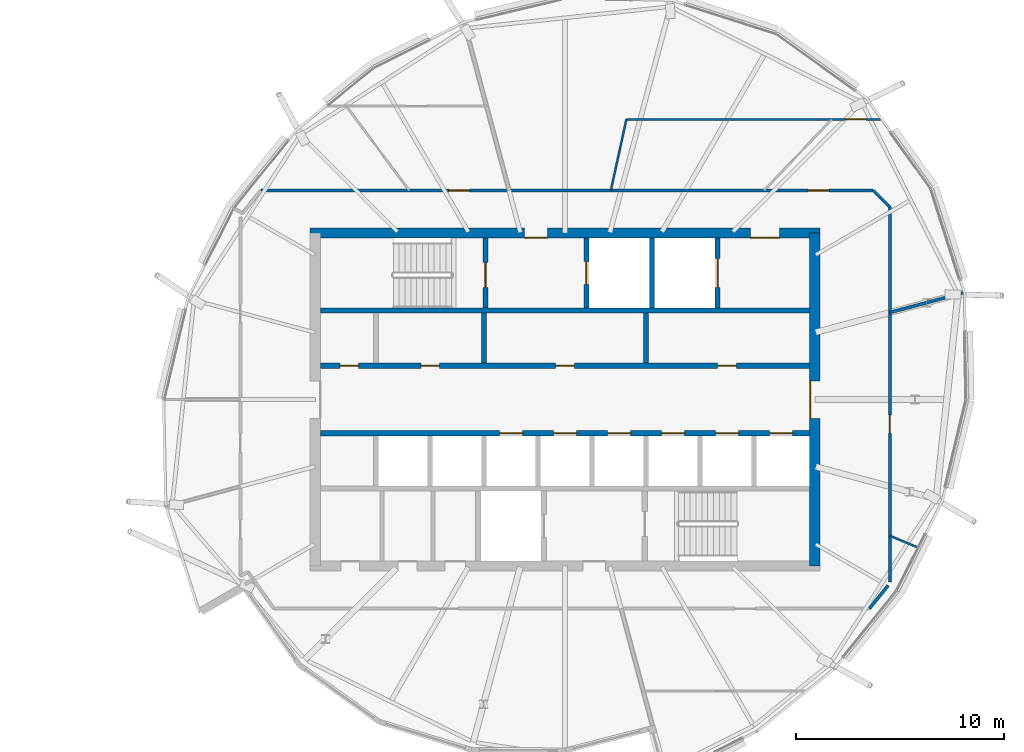
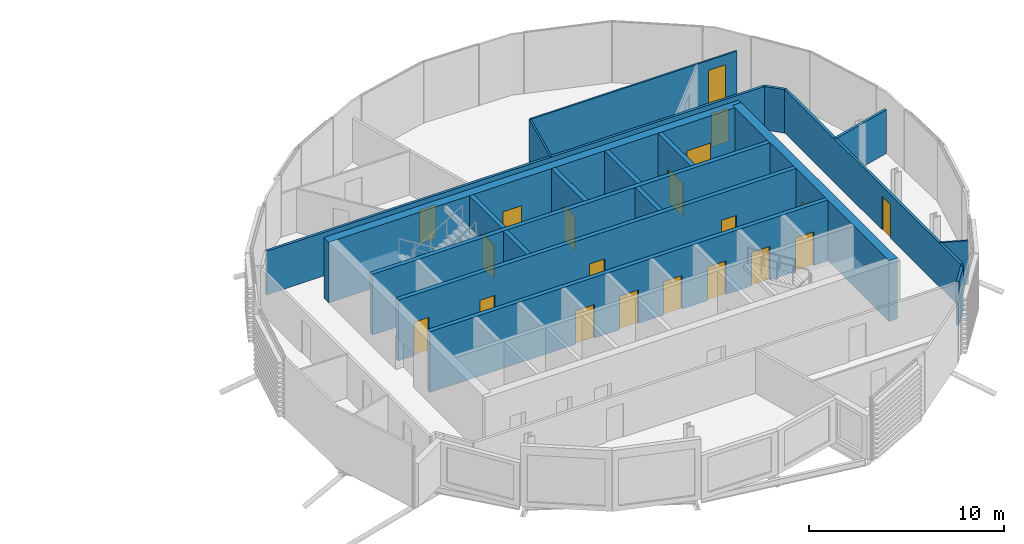
# One storey, part 20 of 33: 20 doors, 19 walls, 20 openings.
"""IFC4 building model written with IfcOpenShell, lengths in metres."""

from ifc_helpers import new_model, si_unit, direction, frame, frame_2d, origin, place, context, subcontext, project, spatial, rectangle, extrude, material, layer, layer_set, type_object, element, fill, save


model = new_model("IFC4")

# Units and contexts
model_context = context("Model", 3, precision=1e-05, world=origin(), true_north=direction((0.0, 1.0)))
body_context = subcontext(model_context, "Body", "Model", "MODEL_VIEW")
ifc_project = project(units=[si_unit("LENGTHUNIT", "METRE"), si_unit("AREAUNIT", "SQUARE_METRE"), si_unit("VOLUMEUNIT", "CUBIC_METRE"), si_unit("PLANEANGLEUNIT", "RADIAN"), si_unit("MASSUNIT", "GRAM", prefix="KILO")], contexts=[model_context])

# Site, building, storey
site_placement = place(None, origin())
site = spatial("IfcSite", under=ifc_project, at=site_placement, CompositionType="ELEMENT")
building_placement = place(site_placement, origin())
building = spatial("IfcBuilding", under=site, at=building_placement, Name="Rimbun Link Towers", CompositionType="ELEMENT")
storey_placement = place(building_placement, frame((0.0, 0.0, 237.10009765625)))
storey = spatial("IfcBuildingStorey", under=building, at=storey_placement, Name="L58", CompositionType="ELEMENT", Elevation=237.10009765625)

# Wall, openings, doors
ifc_material_1 = material(Name="Concrete C60/75", Category="concrete")
ifc_layer_1 = layer(ifc_material_1, 0.5)
ifc_layer_set_1 = layer_set([ifc_layer_1], Name="Core shear wall 500")
wall_type_1 = type_object("IfcWallType", Name="Core shear wall 500", PredefinedType="SHEAR", material=ifc_layer_set_1)
wall_1_placement = place(storey_placement, frame((19.5, 8.0, 0.0), z_axis=(0.0, 0.0, 1.0), x_axis=(1.0, 0.0, 0.0)))
wall_1 = element("IfcWall", 1, at=wall_1_placement, inside=storey, type_object=wall_type_1, Name="L58 T2 core wall N", PredefinedType="SHEAR", context=body_context, shape_type="SweptSolid", body=[
    extrude(rectangle(XDim=24.5, YDim=0.5, at=frame_2d((12.25, 0.0))), origin(), (0.0, 0.0, 1.0), 3.7998046875),
])
opening_1_placement = place(wall_1_placement, frame((10.300048828125, 0.0, 0.0)))
opening_1 = element("IfcOpeningElement", 2, at=opening_1_placement, cuts=wall_1, Name="Opening C2DCF01N", PredefinedType="OPENING", context=body_context, shape_type="SweptSolid", body=[
    extrude(rectangle(XDim=1.10009765625, YDim=2.10009765625, at=frame_2d((0.550048828125, 1.050048828125))), frame((0.0, 0.260009765625, 0.0), z_axis=(0.0, -1.0, 0.0), x_axis=(1.0, 0.0, 0.0)), (0.0, 0.0, 1.0), 0.52001953125),
])
opening_2_placement = place(wall_1_placement, frame((21.14990234375, 0.0, 0.0)))
opening_2 = element("IfcOpeningElement", 3, at=opening_2_placement, cuts=wall_1, Name="Opening C2DSL02N", PredefinedType="OPENING", context=body_context, shape_type="SweptSolid", body=[
    extrude(rectangle(XDim=1.39990234375, YDim=2.10009765625, at=frame_2d((0.699951171875, 1.050048828125))), frame((0.0, 0.260009765625, 0.0), z_axis=(0.0, -1.0, 0.0), x_axis=(1.0, 0.0, 0.0)), (0.0, 0.0, 1.0), 0.52001953125),
])
ifc_material_2 = material(Name="Steel fire door set", Category="steel")
door_type_1 = type_object("IfcDoorType", Name="Core fire door single", OperationType="SINGLE_SWING_LEFT", PredefinedType="DOOR", material=ifc_material_2)
door_1_placement = place(opening_1_placement, origin())
door_1 = element("IfcDoor", 4, at=door_1_placement, inside=storey, type_object=door_type_1, Name="L58 T2 firefighting lobby n door", OperationType="SINGLE_SWING_LEFT", OverallHeight=2.10009765625, OverallWidth=1.10009765625, PredefinedType="DOOR", context=body_context, shape_type="SweptSolid", body=[
    extrude(rectangle(XDim=1.10009765625, YDim=2.10009765625, at=frame_2d((0.550048828125, 1.050048828125))), frame((0.0, -0.2001953125, 0.0), z_axis=(0.0, -1.0, 0.0), x_axis=(1.0, 0.0, 0.0)), (0.0, 0.0, 1.0), 0.050048828125),
])
fill(opening_1, door_1)
ifc_material_3 = material(Name="Steel fire door set", Category="steel")
door_type_2 = type_object("IfcDoorType", Name="Service lobby door double", OperationType="DOUBLE_DOOR_SINGLE_SWING", PredefinedType="DOOR", material=ifc_material_3)
door_2_placement = place(opening_2_placement, origin())
door_2 = element("IfcDoor", 5, at=door_2_placement, inside=storey, type_object=door_type_2, Name="L58 T2 service lobby door", OperationType="DOUBLE_DOOR_SINGLE_SWING", OverallHeight=2.10009765625, OverallWidth=1.39990234375, PredefinedType="DOOR", context=body_context, shape_type="SweptSolid", body=[
    extrude(rectangle(XDim=1.39990234375, YDim=2.10009765625, at=frame_2d((0.699951171875, 1.050048828125))), frame((0.0, -0.2001953125, 0.0), z_axis=(0.0, -1.0, 0.0), x_axis=(1.0, 0.0, 0.0)), (0.0, 0.0, 1.0), 0.050048828125),
])
fill(opening_2, door_2)

# Wall, opening, door
wall_2_placement = place(storey_placement, frame((43.75, -8.0, 0.0), z_axis=(0.0, 0.0, 1.0), x_axis=(0.0, 1.0, 0.0)))
wall_2 = element("IfcWall", 6, at=wall_2_placement, inside=storey, type_object=wall_type_1, Name="L58 T2 core wall E", PredefinedType="SHEAR", context=body_context, shape_type="SweptSolid", body=[
    extrude(rectangle(XDim=16.0, YDim=0.5, at=frame_2d((8.0, 0.0))), origin(), (0.0, 0.0, 1.0), 3.7998046875),
])
opening_3_placement = place(wall_2_placement, frame((7.10009765625, 0.0, 0.0)))
opening_3 = element("IfcOpeningElement", 7, at=opening_3_placement, cuts=wall_2, Name="Opening C2DCL01E", PredefinedType="OPENING", context=body_context, shape_type="SweptSolid", body=[
    extrude(rectangle(XDim=1.800048828125, YDim=2.10009765625, at=frame_2d((0.89990234375, 1.050048828125))), frame((0.0, 0.260009765625, 0.0), z_axis=(0.0, -1.0, 0.0), x_axis=(1.0, 0.0, 0.0)), (0.0, 0.0, 1.0), 0.52001953125),
])
ifc_material_4 = material(Name="Steel fire door set", Category="steel")
door_type_3 = type_object("IfcDoorType", Name="Core lobby door double", OperationType="DOUBLE_DOOR_SINGLE_SWING", PredefinedType="DOOR", material=ifc_material_4)
door_3_placement = place(opening_3_placement, origin())
door_3 = element("IfcDoor", 8, at=door_3_placement, inside=storey, type_object=door_type_3, Name="L58 T2 lift lobby door", OperationType="DOUBLE_DOOR_SINGLE_SWING", OverallHeight=2.10009765625, OverallWidth=1.800048828125, PredefinedType="DOOR", context=body_context, shape_type="SweptSolid", body=[
    extrude(rectangle(XDim=1.800048828125, YDim=2.10009765625, at=frame_2d((0.89990234375, 1.050048828125))), frame((0.0, 0.25, 0.0), z_axis=(0.0, -1.0, 0.0), x_axis=(1.0, 0.0, 0.0)), (0.0, 0.0, 1.0), 0.050048828125),
])
fill(opening_3, door_3)

# Wall
ifc_material_5 = material(Name="Plasterboard on steel stud, mineral wool", Category="steel")
ifc_layer_2 = layer(ifc_material_5, 0.14990234375)
ifc_layer_set_2 = layer_set([ifc_layer_2], Name="Corridor wall EI 30 150 mm")
wall_type_2 = type_object("IfcWallType", Name="Corridor wall EI 30 150 mm", PredefinedType="PARTITIONING", material=ifc_layer_set_2)
wall_3_placement = place(storey_placement, frame((47.35498046875, 9.24365234375, 0.0), z_axis=(0.0, 0.0, 1.0), x_axis=(-0.707106781187, 0.707106781187, 0.0)))
element("IfcWall", 9, at=wall_3_placement, inside=storey, type_object=wall_type_2, Name="Corridor wall EI 30 150 mm", PredefinedType="PARTITIONING", context=body_context, shape_type="SweptSolid", body=[
    extrude(rectangle(XDim=1.133056640625, YDim=0.14990234375, at=frame_2d((0.56640625, 0.0))), origin(), (0.0, 0.0, 1.0), 2.721923828125),
])

# Wall, opening, door
wall_4_placement = place(storey_placement, frame((47.35498046875, 9.24365234375, 0.0), z_axis=(0.0, 0.0, 1.0), x_axis=(0.0, -1.0, 0.0)))
wall_4 = element("IfcWall", 10, at=wall_4_placement, inside=storey, type_object=wall_type_2, Name="Corridor wall EI 30 150 mm", PredefinedType="PARTITIONING", context=body_context, shape_type="SweptSolid", body=[
    extrude(rectangle(XDim=18.01318359375, YDim=0.14990234375, at=frame_2d((9.006591796875, 0.0))), origin(), (0.0, 0.0, 1.0), 2.721923828125),
])
opening_4_placement = place(wall_4_placement, frame((9.9755859375, 0.0, 0.0)))
opening_4 = element("IfcOpeningElement", 11, at=opening_4_placement, cuts=wall_4, Name="Opening D02", PredefinedType="OPENING", context=body_context, shape_type="SweptSolid", body=[
    extrude(rectangle(XDim=0.89990234375, YDim=2.10009765625, at=frame_2d((0.449951171875, 1.050048828125))), frame((0.0, 0.0849609375, 0.0), z_axis=(0.0, -1.0, 0.0), x_axis=(1.0, 0.0, 0.0)), (0.0, 0.0, 1.0), 0.169921875),
])
ifc_material_6 = material(Name="Fire-resisting timber door leaf", Category="wood")
door_type_4 = type_object("IfcDoorType", Name="Fire door FD30S 900", OperationType="NOTDEFINED", PredefinedType="DOOR", material=ifc_material_6)
door_4_placement = place(opening_4_placement, origin())
door_4 = element("IfcDoor", 12, at=door_4_placement, inside=storey, type_object=door_type_4, Name="Fire door FD30S 900 to Meeting room", OperationType="SINGLE_SWING_LEFT", OverallHeight=2.10009765625, OverallWidth=0.89990234375, PredefinedType="DOOR", context=body_context, shape_type="SweptSolid", body=[
    extrude(rectangle(XDim=0.89990234375, YDim=2.10009765625, at=frame_2d((0.449951171875, 1.050048828125))), frame((0.0, 0.02490234375, 0.0), z_axis=(0.0, -1.0, 0.0), x_axis=(1.0, 0.0, 0.0)), (0.0, 0.0, 1.0), 0.050048828125),
])
fill(opening_4, door_4)

# Wall
wall_5_placement = place(storey_placement, frame((46.37353515625, -10.044921875, 0.0), z_axis=(0.0, 0.0, 1.0), x_axis=(0.629149019121, 0.777284704428, 0.0)))
element("IfcWall", 13, at=wall_5_placement, inside=storey, type_object=wall_type_2, Name="Corridor wall EI 30 150 mm", PredefinedType="PARTITIONING", context=body_context, shape_type="SweptSolid", body=[
    extrude(rectangle(XDim=1.42724609375, YDim=0.14990234375, at=frame_2d((0.713623046875, 0.0))), origin(), (0.0, 0.0, 1.0), 2.721923828125),
])

# Wall, openings, doors
wall_6_placement = place(storey_placement, frame((17.12646484375, 10.044921875, 0.0), z_axis=(0.0, 0.0, 1.0), x_axis=(1.0, 0.0, 0.0)))
wall_6 = element("IfcWall", 14, at=wall_6_placement, inside=storey, type_object=wall_type_2, Name="Corridor wall EI 30 150 mm", PredefinedType="PARTITIONING", context=body_context, shape_type="SweptSolid", body=[
    extrude(rectangle(XDim=29.42724609375, YDim=0.14990234375, at=frame_2d((14.713623046875, 0.0))), origin(), (0.0, 0.0, 1.0), 2.721923828125),
])
opening_5_placement = place(wall_6_placement, frame((26.30419921875, 0.0, 0.0)))
opening_5 = element("IfcOpeningElement", 15, at=opening_5_placement, cuts=wall_6, Name="Opening D01", PredefinedType="OPENING", context=body_context, shape_type="SweptSolid", body=[
    extrude(rectangle(XDim=1.0, YDim=2.10009765625, at=frame_2d((0.5, 1.050048828125))), frame((0.0, 0.0849609375, 0.0), z_axis=(0.0, -1.0, 0.0), x_axis=(1.0, 0.0, 0.0)), (0.0, 0.0, 1.0), 0.169921875),
])
opening_6_placement = place(wall_6_placement, frame((9.03271484375, 0.0, 0.0)))
opening_6 = element("IfcOpeningElement", 16, at=opening_6_placement, cuts=wall_6, Name="Opening D01", PredefinedType="OPENING", context=body_context, shape_type="SweptSolid", body=[
    extrude(rectangle(XDim=1.0, YDim=2.10009765625, at=frame_2d((0.5, 1.050048828125))), frame((0.0, 0.0849609375, 0.0), z_axis=(0.0, -1.0, 0.0), x_axis=(1.0, 0.0, 0.0)), (0.0, 0.0, 1.0), 0.169921875),
])
ifc_material_7 = material(Name="Fire-resisting timber door leaf", Category="wood")
door_type_5 = type_object("IfcDoorType", Name="Fire door FD30S 1000", OperationType="NOTDEFINED", PredefinedType="DOOR", material=ifc_material_7)
door_5_placement = place(opening_5_placement, origin())
door_5 = element("IfcDoor", 17, at=door_5_placement, inside=storey, type_object=door_type_5, Name="Fire door FD30S 1000 to Reception", OperationType="SINGLE_SWING_RIGHT", OverallHeight=2.10009765625, OverallWidth=1.0, PredefinedType="DOOR", context=body_context, shape_type="SweptSolid", body=[
    extrude(rectangle(XDim=1.0, YDim=2.10009765625, at=frame_2d((0.5, 1.050048828125))), frame((0.0, 0.02490234375, 0.0), z_axis=(0.0, -1.0, 0.0), x_axis=(1.0, 0.0, 0.0)), (0.0, 0.0, 1.0), 0.050048828125),
])
fill(opening_5, door_5)
door_6_placement = place(opening_6_placement, origin())
door_6 = element("IfcDoor", 18, at=door_6_placement, inside=storey, type_object=door_type_5, Name="Fire door FD30S 1000 to Reception", OperationType="SINGLE_SWING_LEFT", OverallHeight=2.10009765625, OverallWidth=1.0, PredefinedType="DOOR", context=body_context, shape_type="SweptSolid", body=[
    extrude(rectangle(XDim=1.0, YDim=2.10009765625, at=frame_2d((0.5, 1.050048828125))), frame((0.0, 0.02490234375, 0.0), z_axis=(0.0, -1.0, 0.0), x_axis=(1.0, 0.0, 0.0)), (0.0, 0.0, 1.0), 0.050048828125),
])
fill(opening_6, door_6)

# Wall
ifc_material_8 = material(Name="Plasterboard on steel stud", Category="steel")
ifc_layer_3 = layer(ifc_material_8, 0.10009765625)
ifc_layer_set_3 = layer_set([ifc_layer_3], Name="Plasterboard partition 100 mm")
wall_type_3 = type_object("IfcWallType", Name="Plasterboard partition 100 mm", PredefinedType="PARTITIONING", material=ifc_layer_set_3)
wall_7_placement = place(storey_placement, frame((48.693603515625, -7.106689453125, 0.0), z_axis=(0.0, 0.0, 1.0), x_axis=(-0.922153744636, 0.386823566052, 0.0)))
element("IfcWall", 19, at=wall_7_placement, inside=storey, type_object=wall_type_3, Name="Plasterboard partition 100 mm", PredefinedType="PARTITIONING", context=body_context, shape_type="SweptSolid", body=[
    extrude(rectangle(XDim=1.45166015625, YDim=0.10009765625, at=frame_2d((0.725830078125, 0.0))), origin(), (0.0, 0.0, 1.0), 2.721923828125),
])

# Wall, opening, door
wall_8_placement = place(storey_placement, frame((34.695068359375, 13.465087890625, 0.0), z_axis=(0.0, 0.0, 1.0), x_axis=(1.0, 0.0, 0.0)))
wall_8 = element("IfcWall", 20, at=wall_8_placement, inside=storey, type_object=wall_type_3, Name="Plasterboard partition 100 mm", PredefinedType="PARTITIONING", context=body_context, shape_type="SweptSolid", body=[
    extrude(rectangle(XDim=12.19921875, YDim=0.10009765625, at=frame_2d((6.099609375, 0.0))), origin(), (0.0, 0.0, 1.0), 2.721923828125),
])
opening_7_placement = place(wall_8_placement, frame((10.51220703125, 0.0, 0.0)))
opening_7 = element("IfcOpeningElement", 21, at=opening_7_placement, cuts=wall_8, Name="Opening D03", PredefinedType="OPENING", context=body_context, shape_type="SweptSolid", body=[
    extrude(rectangle(XDim=1.0, YDim=2.10009765625, at=frame_2d((0.5, 1.050048828125))), frame((0.0, 0.06005859375, 0.0), z_axis=(0.0, -1.0, 0.0), x_axis=(1.0, 0.0, 0.0)), (0.0, 0.0, 1.0), 0.1201171875),
])
ifc_material_9 = material(Name="Timber door leaf", Category="wood")
door_type_6 = type_object("IfcDoorType", Name="Flush door 1000", OperationType="NOTDEFINED", PredefinedType="DOOR", material=ifc_material_9)
door_7_placement = place(opening_7_placement, origin())
door_7 = element("IfcDoor", 22, at=door_7_placement, inside=storey, type_object=door_type_6, Name="Flush door 1000 to Open office", OperationType="SINGLE_SWING_LEFT", OverallHeight=2.10009765625, OverallWidth=1.0, PredefinedType="DOOR", context=body_context, shape_type="SweptSolid", body=[
    extrude(rectangle(XDim=1.0, YDim=2.10009765625, at=frame_2d((0.5, 1.050048828125))), frame((0.0, 0.02490234375, 0.0), z_axis=(0.0, -1.0, 0.0), x_axis=(1.0, 0.0, 0.0)), (0.0, 0.0, 1.0), 0.050048828125),
])
fill(opening_7, door_7)

# Walls
wall_9_placement = place(storey_placement, frame((34.695068359375, 13.465087890625, 0.0), z_axis=(0.0, 0.0, 1.0), x_axis=(-0.213665683514, -0.976906840844, 0.0)))
element("IfcWall", 23, at=wall_9_placement, inside=storey, type_object=wall_type_3, Name="Plasterboard partition 100 mm", PredefinedType="PARTITIONING", context=body_context, shape_type="SweptSolid", body=[
    extrude(rectangle(XDim=3.5009765625, YDim=0.10009765625, at=frame_2d((1.75048828125, 0.0))), origin(), (0.0, 0.0, 1.0), 2.721923828125),
])
ifc_material_10 = material(Name="Concrete C60/75", Category="concrete")
ifc_layer_4 = layer(ifc_material_10, 0.25)
ifc_layer_set_4 = layer_set([ifc_layer_4], Name="Shaft wall 250")
wall_type_4 = type_object("IfcWallType", Name="Shaft wall 250", PredefinedType="SHEAR", material=ifc_layer_set_4)
wall_10_placement = place(storey_placement, frame((20.0, 4.27490234375, 0.0), z_axis=(0.0, 0.0, 1.0), x_axis=(1.0, 0.0, 0.0)))
element("IfcWall", 24, at=wall_10_placement, inside=storey, type_object=wall_type_4, Name="L58 T2 core wall BN", PredefinedType="SHEAR", context=body_context, shape_type="SweptSolid", body=[
    extrude(rectangle(XDim=23.5, YDim=0.25, at=frame_2d((11.75, 0.0))), origin(), (0.0, 0.0, 1.0), 3.7998046875),
])

# Wall, openings, doors
wall_11_placement = place(storey_placement, frame((20.0, 1.625, 0.0), z_axis=(0.0, 0.0, 1.0), x_axis=(1.0, 0.0, 0.0)))
wall_11 = element("IfcWall", 25, at=wall_11_placement, inside=storey, type_object=wall_type_4, Name="L58 T2 core wall FN", PredefinedType="SHEAR", context=body_context, shape_type="SweptSolid", body=[
    extrude(rectangle(XDim=23.5, YDim=0.25, at=frame_2d((11.75, 0.0))), origin(), (0.0, 0.0, 1.0), 3.7998046875),
])
opening_8_placement = place(wall_11_placement, frame((0.922119140625, 0.0, 0.0)))
opening_8 = element("IfcOpeningElement", 26, at=opening_8_placement, cuts=wall_11, Name="Opening C2DRS01FN", PredefinedType="OPENING", context=body_context, shape_type="SweptSolid", body=[
    extrude(rectangle(XDim=0.89990234375, YDim=2.10009765625, at=frame_2d((0.449951171875, 1.050048828125))), frame((0.0, 0.135009765625, 0.0), z_axis=(0.0, -1.0, 0.0), x_axis=(1.0, 0.0, 0.0)), (0.0, 0.0, 1.0), 0.27001953125),
])
opening_9_placement = place(wall_11_placement, frame((4.81396484375, 0.0, 0.0)))
opening_9 = element("IfcOpeningElement", 27, at=opening_9_placement, cuts=wall_11, Name="Opening C2DRS02FN", PredefinedType="OPENING", context=body_context, shape_type="SweptSolid", body=[
    extrude(rectangle(XDim=0.89990234375, YDim=2.10009765625, at=frame_2d((0.449951171875, 1.050048828125))), frame((0.0, 0.135009765625, 0.0), z_axis=(0.0, -1.0, 0.0), x_axis=(1.0, 0.0, 0.0)), (0.0, 0.0, 1.0), 0.27001953125),
])
opening_10_placement = place(wall_11_placement, frame((11.300048828125, 0.0, 0.0)))
opening_10 = element("IfcOpeningElement", 28, at=opening_10_placement, cuts=wall_11, Name="Opening C2DRS03FN", PredefinedType="OPENING", context=body_context, shape_type="SweptSolid", body=[
    extrude(rectangle(XDim=0.89990234375, YDim=2.10009765625, at=frame_2d((0.449951171875, 1.050048828125))), frame((0.0, 0.135009765625, 0.0), z_axis=(0.0, -1.0, 0.0), x_axis=(1.0, 0.0, 0.0)), (0.0, 0.0, 1.0), 0.27001953125),
])
opening_11_placement = place(wall_11_placement, frame((19.083251953125, 0.0, 0.0)))
opening_11 = element("IfcOpeningElement", 29, at=opening_11_placement, cuts=wall_11, Name="Opening C2DRS04FN", PredefinedType="OPENING", context=body_context, shape_type="SweptSolid", body=[
    extrude(rectangle(XDim=0.89990234375, YDim=2.10009765625, at=frame_2d((0.449951171875, 1.050048828125))), frame((0.0, 0.135009765625, 0.0), z_axis=(0.0, -1.0, 0.0), x_axis=(1.0, 0.0, 0.0)), (0.0, 0.0, 1.0), 0.27001953125),
])
ifc_material_11 = material(Name="Steel fire door set", Category="steel")
door_type_7 = type_object("IfcDoorType", Name="Core riser door", OperationType="SINGLE_SWING_LEFT", PredefinedType="DOOR", material=ifc_material_11)
door_8_placement = place(opening_8_placement, origin())
door_8 = element("IfcDoor", 30, at=door_8_placement, inside=storey, type_object=door_type_7, Name="L58 T2 cleaner store door", OperationType="SINGLE_SWING_LEFT", OverallHeight=2.10009765625, OverallWidth=0.89990234375, PredefinedType="DOOR", context=body_context, shape_type="SweptSolid", body=[
    extrude(rectangle(XDim=0.89990234375, YDim=2.10009765625, at=frame_2d((0.449951171875, 1.050048828125))), frame((0.0, 0.02490234375, 0.0), z_axis=(0.0, -1.0, 0.0), x_axis=(1.0, 0.0, 0.0)), (0.0, 0.0, 1.0), 0.050048828125),
])
fill(opening_8, door_8)
door_9_placement = place(opening_9_placement, origin())
door_9 = element("IfcDoor", 31, at=door_9_placement, inside=storey, type_object=door_type_7, Name="L58 T2 staff lounge door", OperationType="SINGLE_SWING_LEFT", OverallHeight=2.10009765625, OverallWidth=0.89990234375, PredefinedType="DOOR", context=body_context, shape_type="SweptSolid", body=[
    extrude(rectangle(XDim=0.89990234375, YDim=2.10009765625, at=frame_2d((0.449951171875, 1.050048828125))), frame((0.0, 0.02490234375, 0.0), z_axis=(0.0, -1.0, 0.0), x_axis=(1.0, 0.0, 0.0)), (0.0, 0.0, 1.0), 0.050048828125),
])
fill(opening_9, door_9)
door_10_placement = place(opening_10_placement, origin())
door_10 = element("IfcDoor", 32, at=door_10_placement, inside=storey, type_object=door_type_7, Name="L58 T2 training store door", OperationType="SINGLE_SWING_LEFT", OverallHeight=2.10009765625, OverallWidth=0.89990234375, PredefinedType="DOOR", context=body_context, shape_type="SweptSolid", body=[
    extrude(rectangle(XDim=0.89990234375, YDim=2.10009765625, at=frame_2d((0.449951171875, 1.050048828125))), frame((0.0, 0.02490234375, 0.0), z_axis=(0.0, -1.0, 0.0), x_axis=(1.0, 0.0, 0.0)), (0.0, 0.0, 1.0), 0.050048828125),
])
fill(opening_10, door_10)
door_11_placement = place(opening_11_placement, origin())
door_11 = element("IfcDoor", 33, at=door_11_placement, inside=storey, type_object=door_type_7, Name="L58 T2 meeting pod door", OperationType="SINGLE_SWING_RIGHT", OverallHeight=2.10009765625, OverallWidth=0.89990234375, PredefinedType="DOOR", context=body_context, shape_type="SweptSolid", body=[
    extrude(rectangle(XDim=0.89990234375, YDim=2.10009765625, at=frame_2d((0.449951171875, 1.050048828125))), frame((0.0, 0.02490234375, 0.0), z_axis=(0.0, -1.0, 0.0), x_axis=(1.0, 0.0, 0.0)), (0.0, 0.0, 1.0), 0.050048828125),
])
fill(opening_11, door_11)

wall_12_placement = place(storey_placement, frame((20.0, -1.625, 0.0), z_axis=(0.0, 0.0, 1.0), x_axis=(1.0, 0.0, 0.0)))
wall_12 = element("IfcWall", 34, at=wall_12_placement, inside=storey, type_object=wall_type_4, Name="L58 T2 core wall FS", PredefinedType="SHEAR", context=body_context, shape_type="SweptSolid", body=[
    extrude(rectangle(XDim=23.5, YDim=0.25, at=frame_2d((11.75, 0.0))), origin(), (0.0, 0.0, 1.0), 3.7998046875),
])
opening_12_placement = place(wall_12_placement, frame((8.605712890625, 0.0, 0.0)))
opening_12 = element("IfcOpeningElement", 35, at=opening_12_placement, cuts=wall_12, Name="Opening LD-T2-HR1", PredefinedType="OPENING", context=body_context, shape_type="SweptSolid", body=[
    extrude(rectangle(XDim=1.10009765625, YDim=2.10009765625, at=frame_2d((0.550048828125, 1.050048828125))), frame((0.0, 0.135009765625, 0.0), z_axis=(0.0, -1.0, 0.0), x_axis=(1.0, 0.0, 0.0)), (0.0, 0.0, 1.0), 0.27001953125),
])
opening_13_placement = place(wall_12_placement, frame((11.199951171875, 0.0, 0.0)))
opening_13 = element("IfcOpeningElement", 36, at=opening_13_placement, cuts=wall_12, Name="Opening LD-T2-HR2", PredefinedType="OPENING", context=body_context, shape_type="SweptSolid", body=[
    extrude(rectangle(XDim=1.10009765625, YDim=2.10009765625, at=frame_2d((0.550048828125, 1.050048828125))), frame((0.0, 0.135009765625, 0.0), z_axis=(0.0, -1.0, 0.0), x_axis=(1.0, 0.0, 0.0)), (0.0, 0.0, 1.0), 0.27001953125),
])
opening_14_placement = place(wall_12_placement, frame((13.79443359375, 0.0, 0.0)))
opening_14 = element("IfcOpeningElement", 37, at=opening_14_placement, cuts=wall_12, Name="Opening LD-T2-HR3", PredefinedType="OPENING", context=body_context, shape_type="SweptSolid", body=[
    extrude(rectangle(XDim=1.10009765625, YDim=2.10009765625, at=frame_2d((0.550048828125, 1.050048828125))), frame((0.0, 0.135009765625, 0.0), z_axis=(0.0, -1.0, 0.0), x_axis=(1.0, 0.0, 0.0)), (0.0, 0.0, 1.0), 0.27001953125),
])
opening_15_placement = place(wall_12_placement, frame((16.388916015625, 0.0, 0.0)))
opening_15 = element("IfcOpeningElement", 38, at=opening_15_placement, cuts=wall_12, Name="Opening LD-T2-HR4", PredefinedType="OPENING", context=body_context, shape_type="SweptSolid", body=[
    extrude(rectangle(XDim=1.10009765625, YDim=2.10009765625, at=frame_2d((0.550048828125, 1.050048828125))), frame((0.0, 0.135009765625, 0.0), z_axis=(0.0, -1.0, 0.0), x_axis=(1.0, 0.0, 0.0)), (0.0, 0.0, 1.0), 0.27001953125),
])
opening_16_placement = place(wall_12_placement, frame((18.9833984375, 0.0, 0.0)))
opening_16 = element("IfcOpeningElement", 39, at=opening_16_placement, cuts=wall_12, Name="Opening LD-T2-HR5", PredefinedType="OPENING", context=body_context, shape_type="SweptSolid", body=[
    extrude(rectangle(XDim=1.10009765625, YDim=2.10009765625, at=frame_2d((0.550048828125, 1.050048828125))), frame((0.0, 0.135009765625, 0.0), z_axis=(0.0, -1.0, 0.0), x_axis=(1.0, 0.0, 0.0)), (0.0, 0.0, 1.0), 0.27001953125),
])
opening_17_placement = place(wall_12_placement, frame((21.577880859375, 0.0, 0.0)))
opening_17 = element("IfcOpeningElement", 40, at=opening_17_placement, cuts=wall_12, Name="Opening LD-T2-HR6", PredefinedType="OPENING", context=body_context, shape_type="SweptSolid", body=[
    extrude(rectangle(XDim=1.10009765625, YDim=2.10009765625, at=frame_2d((0.550048828125, 1.050048828125))), frame((0.0, 0.135009765625, 0.0), z_axis=(0.0, -1.0, 0.0), x_axis=(1.0, 0.0, 0.0)), (0.0, 0.0, 1.0), 0.27001953125),
])
ifc_material_12 = material(Name="Stainless steel grade 316", Category="steel")
door_type_8 = type_object("IfcDoorType", Name="Lift landing door", OperationType="DOUBLE_DOOR_SLIDING", PredefinedType="DOOR", material=ifc_material_12)
door_12_placement = place(opening_12_placement, origin())
door_12 = element("IfcDoor", 41, at=door_12_placement, inside=storey, type_object=door_type_8, Name="L58 T2 lift HR1 landing door", OperationType="DOUBLE_DOOR_SLIDING", OverallHeight=2.10009765625, OverallWidth=1.10009765625, PredefinedType="DOOR", context=body_context, shape_type="SweptSolid", body=[
    extrude(rectangle(XDim=1.10009765625, YDim=2.10009765625, at=frame_2d((0.550048828125, 1.050048828125))), frame((0.0, 0.02490234375, 0.0), z_axis=(0.0, -1.0, 0.0), x_axis=(1.0, 0.0, 0.0)), (0.0, 0.0, 1.0), 0.050048828125),
])
fill(opening_12, door_12)
door_13_placement = place(opening_13_placement, origin())
door_13 = element("IfcDoor", 42, at=door_13_placement, inside=storey, type_object=door_type_8, Name="L58 T2 lift HR2 landing door", OperationType="DOUBLE_DOOR_SLIDING", OverallHeight=2.10009765625, OverallWidth=1.10009765625, PredefinedType="DOOR", context=body_context, shape_type="SweptSolid", body=[
    extrude(rectangle(XDim=1.10009765625, YDim=2.10009765625, at=frame_2d((0.550048828125, 1.050048828125))), frame((0.0, 0.02490234375, 0.0), z_axis=(0.0, -1.0, 0.0), x_axis=(1.0, 0.0, 0.0)), (0.0, 0.0, 1.0), 0.050048828125),
])
fill(opening_13, door_13)
door_14_placement = place(opening_14_placement, origin())
door_14 = element("IfcDoor", 43, at=door_14_placement, inside=storey, type_object=door_type_8, Name="L58 T2 lift HR3 landing door", OperationType="DOUBLE_DOOR_SLIDING", OverallHeight=2.10009765625, OverallWidth=1.10009765625, PredefinedType="DOOR", context=body_context, shape_type="SweptSolid", body=[
    extrude(rectangle(XDim=1.10009765625, YDim=2.10009765625, at=frame_2d((0.550048828125, 1.050048828125))), frame((0.0, 0.02490234375, 0.0), z_axis=(0.0, -1.0, 0.0), x_axis=(1.0, 0.0, 0.0)), (0.0, 0.0, 1.0), 0.050048828125),
])
fill(opening_14, door_14)
door_15_placement = place(opening_15_placement, origin())
door_15 = element("IfcDoor", 44, at=door_15_placement, inside=storey, type_object=door_type_8, Name="L58 T2 lift HR4 landing door", OperationType="DOUBLE_DOOR_SLIDING", OverallHeight=2.10009765625, OverallWidth=1.10009765625, PredefinedType="DOOR", context=body_context, shape_type="SweptSolid", body=[
    extrude(rectangle(XDim=1.10009765625, YDim=2.10009765625, at=frame_2d((0.550048828125, 1.050048828125))), frame((0.0, 0.02490234375, 0.0), z_axis=(0.0, -1.0, 0.0), x_axis=(1.0, 0.0, 0.0)), (0.0, 0.0, 1.0), 0.050048828125),
])
fill(opening_15, door_15)
door_16_placement = place(opening_16_placement, origin())
door_16 = element("IfcDoor", 45, at=door_16_placement, inside=storey, type_object=door_type_8, Name="L58 T2 lift HR5 landing door", OperationType="DOUBLE_DOOR_SLIDING", OverallHeight=2.10009765625, OverallWidth=1.10009765625, PredefinedType="DOOR", context=body_context, shape_type="SweptSolid", body=[
    extrude(rectangle(XDim=1.10009765625, YDim=2.10009765625, at=frame_2d((0.550048828125, 1.050048828125))), frame((0.0, 0.02490234375, 0.0), z_axis=(0.0, -1.0, 0.0), x_axis=(1.0, 0.0, 0.0)), (0.0, 0.0, 1.0), 0.050048828125),
])
fill(opening_16, door_16)
door_17_placement = place(opening_17_placement, origin())
door_17 = element("IfcDoor", 46, at=door_17_placement, inside=storey, type_object=door_type_8, Name="L58 T2 lift HR6 landing door", OperationType="DOUBLE_DOOR_SLIDING", OverallHeight=2.10009765625, OverallWidth=1.10009765625, PredefinedType="DOOR", context=body_context, shape_type="SweptSolid", body=[
    extrude(rectangle(XDim=1.10009765625, YDim=2.10009765625, at=frame_2d((0.550048828125, 1.050048828125))), frame((0.0, 0.02490234375, 0.0), z_axis=(0.0, -1.0, 0.0), x_axis=(1.0, 0.0, 0.0)), (0.0, 0.0, 1.0), 0.050048828125),
])
fill(opening_17, door_17)

# Walls
for number, where, z_axis, x_axis, name in (
    (47, (27.8583984375, 1.75, 0.0), (0.0, 0.0, 1.0), (0.0, 1.0, 0.0), "L58 T2 core wall DN2"),
    (48, (35.6416015625, 1.75, 0.0), (0.0, 0.0, 1.0), (0.0, 1.0, 0.0), "L58 T2 core wall DN5"),
):
    element("IfcWall", number, at=place(storey_placement, frame(where, z_axis=z_axis, x_axis=x_axis)), inside=storey, type_object=wall_type_4, Name=name, PredefinedType="SHEAR", context=body_context, shape_type="SweptSolid", body=[
        extrude(rectangle(XDim=2.39990234375, YDim=0.25, at=frame_2d((1.199951171875, 0.0))), origin(), (0.0, 0.0, 1.0), 3.7998046875),
    ])

# Wall, opening, door
wall_13_placement = place(storey_placement, frame((27.925048828125, 4.39990234375, 0.0), z_axis=(0.0, 0.0, 1.0), x_axis=(0.0, 1.0, 0.0)))
wall_13 = element("IfcWall", 49, at=wall_13_placement, inside=storey, type_object=wall_type_4, Name="L58 T2 core wall A1", PredefinedType="SHEAR", context=body_context, shape_type="SweptSolid", body=[
    extrude(rectangle(XDim=3.35009765625, YDim=0.25, at=frame_2d((1.675048828125, 0.0))), origin(), (0.0, 0.0, 1.0), 3.7998046875),
])
opening_18_placement = place(wall_13_placement, frame((0.97509765625, 0.0, 0.0)))
opening_18 = element("IfcOpeningElement", 50, at=opening_18_placement, cuts=wall_13, Name="Opening C2DST01A1", PredefinedType="OPENING", context=body_context, shape_type="SweptSolid", body=[
    extrude(rectangle(XDim=1.199951171875, YDim=2.10009765625, at=frame_2d((0.60009765625, 1.050048828125))), frame((0.0, 0.135009765625, 0.0), z_axis=(0.0, -1.0, 0.0), x_axis=(1.0, 0.0, 0.0)), (0.0, 0.0, 1.0), 0.27001953125),
])
ifc_material_13 = material(Name="Steel fire door set", Category="steel")
door_type_9 = type_object("IfcDoorType", Name="Stair door", OperationType="SINGLE_SWING_LEFT", PredefinedType="DOOR", material=ifc_material_13)
door_18_placement = place(opening_18_placement, origin())
door_18 = element("IfcDoor", 51, at=door_18_placement, inside=storey, type_object=door_type_9, Name="L58 T2 stair a door", OperationType="SINGLE_SWING_RIGHT", OverallHeight=2.10009765625, OverallWidth=1.199951171875, PredefinedType="DOOR", context=body_context, shape_type="SweptSolid", body=[
    extrude(rectangle(XDim=1.199951171875, YDim=2.10009765625, at=frame_2d((0.60009765625, 1.050048828125))), frame((0.0, 0.02490234375, 0.0), z_axis=(0.0, -1.0, 0.0), x_axis=(1.0, 0.0, 0.0)), (0.0, 0.0, 1.0), 0.050048828125),
])
fill(opening_18, door_18)

wall_14_placement = place(storey_placement, frame((32.77490234375, 4.39990234375, 0.0), z_axis=(0.0, 0.0, 1.0), x_axis=(0.0, 1.0, 0.0)))
wall_14 = element("IfcWall", 52, at=wall_14_placement, inside=storey, type_object=wall_type_4, Name="L58 T2 core wall A2", PredefinedType="SHEAR", context=body_context, shape_type="SweptSolid", body=[
    extrude(rectangle(XDim=3.35009765625, YDim=0.25, at=frame_2d((1.675048828125, 0.0))), origin(), (0.0, 0.0, 1.0), 3.7998046875),
])
opening_19_placement = place(wall_14_placement, frame((1.125, 0.0, 0.0)))
opening_19 = element("IfcOpeningElement", 53, at=opening_19_placement, cuts=wall_14, Name="Opening LD-T2-FF1", PredefinedType="OPENING", context=body_context, shape_type="SweptSolid", body=[
    extrude(rectangle(XDim=1.10009765625, YDim=2.10009765625, at=frame_2d((0.550048828125, 1.050048828125))), frame((0.0, 0.135009765625, 0.0), z_axis=(0.0, -1.0, 0.0), x_axis=(1.0, 0.0, 0.0)), (0.0, 0.0, 1.0), 0.27001953125),
])
door_19_placement = place(opening_19_placement, origin())
door_19 = element("IfcDoor", 54, at=door_19_placement, inside=storey, type_object=door_type_8, Name="L58 T2 lift FF1 landing door", OperationType="DOUBLE_DOOR_SLIDING", OverallHeight=2.10009765625, OverallWidth=1.10009765625, PredefinedType="DOOR", context=body_context, shape_type="SweptSolid", body=[
    extrude(rectangle(XDim=1.10009765625, YDim=2.10009765625, at=frame_2d((0.550048828125, 1.050048828125))), frame((0.0, 0.02490234375, 0.0), z_axis=(0.0, -1.0, 0.0), x_axis=(1.0, 0.0, 0.0)), (0.0, 0.0, 1.0), 0.050048828125),
])
fill(opening_19, door_19)

# Wall
wall_15_placement = place(storey_placement, frame((35.925048828125, 4.39990234375, 0.0), z_axis=(0.0, 0.0, 1.0), x_axis=(0.0, 1.0, 0.0)))
element("IfcWall", 55, at=wall_15_placement, inside=storey, type_object=wall_type_4, Name="L58 T2 core wall A3", PredefinedType="SHEAR", context=body_context, shape_type="SweptSolid", body=[
    extrude(rectangle(XDim=3.35009765625, YDim=0.25, at=frame_2d((1.675048828125, 0.0))), origin(), (0.0, 0.0, 1.0), 3.7998046875),
])

# Wall, opening, door
wall_16_placement = place(storey_placement, frame((39.074951171875, 4.39990234375, 0.0), z_axis=(0.0, 0.0, 1.0), x_axis=(0.0, 1.0, 0.0)))
wall_16 = element("IfcWall", 56, at=wall_16_placement, inside=storey, type_object=wall_type_4, Name="L58 T2 core wall A4", PredefinedType="SHEAR", context=body_context, shape_type="SweptSolid", body=[
    extrude(rectangle(XDim=3.35009765625, YDim=0.25, at=frame_2d((1.675048828125, 0.0))), origin(), (0.0, 0.0, 1.0), 3.7998046875),
])
opening_20_placement = place(wall_16_placement, frame((0.97509765625, 0.0, 0.0)))
opening_20 = element("IfcOpeningElement", 57, at=opening_20_placement, cuts=wall_16, Name="Opening LD-T2-GL1", PredefinedType="OPENING", context=body_context, shape_type="SweptSolid", body=[
    extrude(rectangle(XDim=1.39990234375, YDim=2.10009765625, at=frame_2d((0.699951171875, 1.050048828125))), frame((0.0, 0.135009765625, 0.0), z_axis=(0.0, -1.0, 0.0), x_axis=(1.0, 0.0, 0.0)), (0.0, 0.0, 1.0), 0.27001953125),
])
ifc_material_14 = material(Name="Stainless steel grade 316", Category="steel")
door_type_10 = type_object("IfcDoorType", Name="Goods lift landing door", OperationType="DOUBLE_DOOR_SLIDING", PredefinedType="DOOR", material=ifc_material_14)
door_20_placement = place(opening_20_placement, origin())
door_20 = element("IfcDoor", 58, at=door_20_placement, inside=storey, type_object=door_type_10, Name="L58 T2 lift GL1 landing door", OperationType="DOUBLE_DOOR_SLIDING", OverallHeight=2.10009765625, OverallWidth=1.39990234375, PredefinedType="DOOR", context=body_context, shape_type="SweptSolid", body=[
    extrude(rectangle(XDim=1.39990234375, YDim=2.10009765625, at=frame_2d((0.699951171875, 1.050048828125))), frame((0.0, 0.02490234375, 0.0), z_axis=(0.0, -1.0, 0.0), x_axis=(1.0, 0.0, 0.0)), (0.0, 0.0, 1.0), 0.050048828125),
])
fill(opening_20, door_20)

# Wall
ifc_material_15 = material(Name="Plasterboard on steel stud, mineral wool", Category="steel")
ifc_layer_5 = layer(ifc_material_15, 0.14990234375)
ifc_layer_set_5 = layer_set([ifc_layer_5], Name="Tenancy separation wall EI 60 150 mm")
wall_type_5 = type_object("IfcWallType", Name="Tenancy separation wall EI 60 150 mm", PredefinedType="PARTITIONING", material=ifc_layer_set_5)
wall_17_placement = place(storey_placement, frame((47.35498046875, 4.181396484375, 0.0), z_axis=(0.0, 0.0, 1.0), x_axis=(0.965928942389, 0.258807415381, 0.0)))
element("IfcWall", 59, at=wall_17_placement, inside=storey, type_object=wall_type_5, Name="Tenancy separation wall EI 60 150 mm", PredefinedType="PARTITIONING", context=body_context, shape_type="SweptSolid", body=[
    extrude(rectangle(XDim=3.649658203125, YDim=0.14990234375, at=frame_2d((1.82470703125, 0.0))), origin(), (0.0, 0.0, 1.0), 2.721923828125),
])

save(model, "model.ifc")
